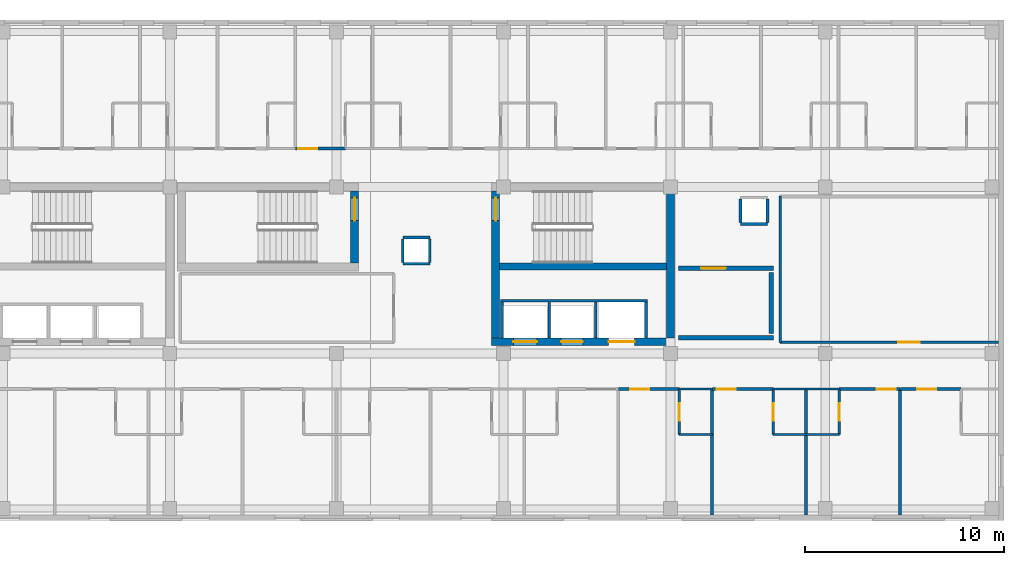
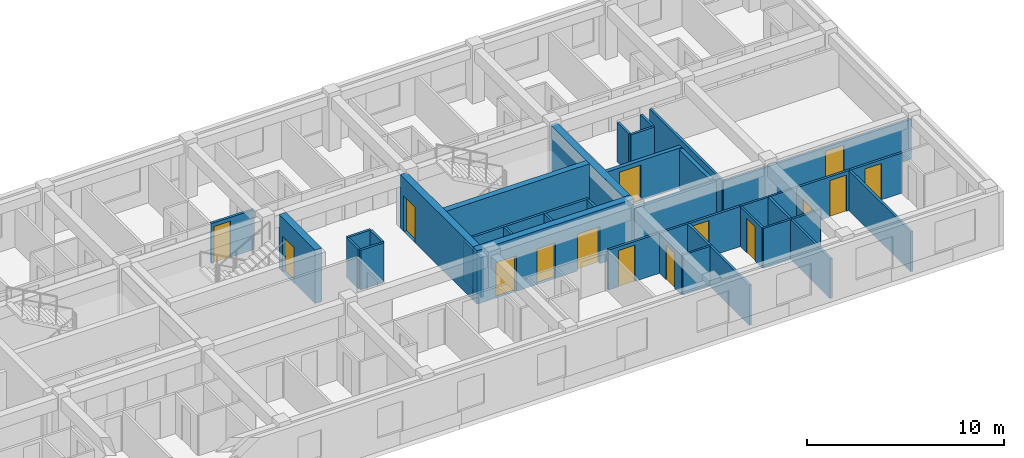
# One storey, part 6 of 11: 39 walls, 15 doors, 15 openings.
"""IFC4 building model written with IfcOpenShell, lengths in metres."""

import ifcopenshell
import ifcopenshell.guid

model = None  # the IFC model being written
_history = None  # IfcOwnerHistory: only IFC2X3 demands one
_inside = {}  # id of a spatial element -> (the spatial element, [elements in it])
_under = {}  # id of a project, library or spatial element -> (it, [spatial elements below it])
_declared = {}  # id of a project -> (the project, [libraries it declares])
_typed = {}  # id of a type object -> (the type object, [elements of that type])
_made_of = {}  # id of a material, layer set ... -> (it, [elements and type objects made of it])


def new_model(schema):
    """Start an empty IFC model of exactly this schema.

    Asked for "IFC4X3", IfcOpenShell would pick the latest addendum, in which some entities
    have other attributes; the version numbers below select the first issue.
    IFC2X3 requires an IfcOwnerHistory on every rooted entity: one is made here for all.
    """
    global model, _history
    if schema == "IFC4X3":
        model = ifcopenshell.file(schema_version=(4, 3, 0, 0))
    else:
        model = ifcopenshell.file(schema=schema)
    _inside.clear()
    _under.clear()
    _declared.clear()
    _typed.clear()
    _made_of.clear()
    _history = None
    if model.schema == "IFC2X3":
        org = make("IfcOrganization", Name="unknown")
        user = make(
            "IfcPersonAndOrganization",
            ThePerson=make("IfcPerson", FamilyName="unknown"),
            TheOrganization=org,
        )
        app = make(
            "IfcApplication",
            ApplicationDeveloper=org,
            Version="unknown",
            ApplicationFullName="unknown",
            ApplicationIdentifier="unknown",
        )
        _history = make(
            "IfcOwnerHistory",
            OwningUser=user,
            OwningApplication=app,
            ChangeAction="ADDED",
            CreationDate=0,
        )
    return model


def make(cls, **values):
    """One entity of the class cls with the attributes given. An attribute that is None is left unset."""
    return model.create_entity(
        cls, **{name: value for name, value in values.items() if value is not None}
    )


def rooted(cls, **values):
    """An entity with a GlobalId (a new one), such as an element, a storey or a relation."""
    return make(cls, GlobalId=ifcopenshell.guid.new(), OwnerHistory=_history, **values)


def si_unit(unit_type, name, prefix=None):
    """IfcSIUnit, for example si_unit("LENGTHUNIT", "METRE", prefix="MILLI")."""
    return make("IfcSIUnit", UnitType=unit_type, Prefix=prefix, Name=name)


def assignment(units):
    """IfcUnitAssignment: the units of a project."""
    return None if units is None else make("IfcUnitAssignment", Units=units)


def point(xyz):
    """IfcCartesianPoint."""
    return None if xyz is None else make("IfcCartesianPoint", Coordinates=xyz)


def direction(xyz):
    """IfcDirection."""
    return None if xyz is None else make("IfcDirection", DirectionRatios=xyz)


def frame(location, z_axis=None, x_axis=None):
    """IfcAxis2Placement3D, a coordinate frame: its origin and axes. An axis left out is left unset."""
    return make(
        "IfcAxis2Placement3D",
        Location=point(location),
        Axis=direction(z_axis),
        RefDirection=direction(x_axis),
    )


def frame_2d(location, x_axis=None):
    """IfcAxis2Placement2D, a coordinate frame in the plane: its origin and x axis."""
    return make(
        "IfcAxis2Placement2D", Location=point(location), RefDirection=direction(x_axis)
    )


def origin():
    """The frame at (0, 0, 0) with its axes left unset."""
    return frame((0.0, 0.0, 0.0))


def place(relative_to, where):
    """IfcLocalPlacement: puts the frame where relative to a parent placement (None: the world)."""
    return make(
        "IfcLocalPlacement", PlacementRelTo=relative_to, RelativePlacement=where
    )


def context(
    kind, dimensions, precision=None, world=None, true_north=None, identifier=None
):
    """IfcGeometricRepresentationContext, for example the 3D "Model" context."""
    return make(
        "IfcGeometricRepresentationContext",
        ContextIdentifier=identifier,
        ContextType=kind,
        CoordinateSpaceDimension=dimensions,
        Precision=precision,
        WorldCoordinateSystem=world,
        TrueNorth=true_north,
    )


def subcontext(parent, identifier, kind, view, scale=None):
    """IfcGeometricRepresentationSubContext, for example "Body" below "Model"."""
    return make(
        "IfcGeometricRepresentationSubContext",
        ContextIdentifier=identifier,
        ContextType=kind,
        ParentContext=parent,
        TargetScale=scale,
        TargetView=view,
    )


def project(units=None, contexts=None):
    """IfcProject with its units and contexts."""
    return rooted(
        "IfcProject",
        Name="project",
        RepresentationContexts=contexts,
        UnitsInContext=assignment(units),
    )


def spatial(cls, under=None, at=None, **own):
    """A site, building, storey or space (cls), placed at a placement, below another one or the project."""
    s = rooted(cls, ObjectPlacement=at, **own)
    if under is not None:
        _under.setdefault(under.id(), (under, []))[1].append(s)
    return s


def profile(cls, at=None, kind="AREA", **sizes):
    """A parametric profile (cls). Its sizes go by their IFC names, for example OverallWidth=200.0."""
    return make(cls, ProfileType=kind, Position=at, **sizes)


def rectangle(**sizes):
    """IfcRectangleProfileDef."""
    return profile("IfcRectangleProfileDef", **sizes)


def extrude(swept, where, along, depth):
    """IfcExtrudedAreaSolid: the profile swept, set in the frame where, extruded along a direction by depth."""
    return make(
        "IfcExtrudedAreaSolid",
        SweptArea=swept,
        Position=where,
        ExtrudedDirection=direction(along),
        Depth=depth,
    )


def shape(context_of_items, identifier, shape_type, items):
    """IfcShapeRepresentation: the items that make up one representation, for example the "Body"."""
    return make(
        "IfcShapeRepresentation",
        ContextOfItems=context_of_items,
        RepresentationIdentifier=identifier,
        RepresentationType=shape_type,
        Items=items,
    )


def material(Name=None, Category=None):
    """IfcMaterial."""
    return make("IfcMaterial", Name=Name, Category=Category)


def layer(
    of_material, thickness, ventilated=None, Name=None, Category=None, Priority=None
):
    """IfcMaterialLayer: one layer of a wall or slab, of a material (None: an air gap)."""
    return make(
        "IfcMaterialLayer",
        Material=of_material,
        LayerThickness=thickness,
        IsVentilated=ventilated,
        Name=Name,
        Category=Category,
        Priority=Priority,
    )


def layer_set(layers, Name=None):
    """IfcMaterialLayerSet."""
    return make("IfcMaterialLayerSet", MaterialLayers=layers, LayerSetName=Name)


def made_of(thing, what):
    """Note that an element or type object is made of a material, layer set ...; save() writes the relation."""
    if what is not None:
        _made_of.setdefault(what.id(), (what, []))[1].append(thing)
    return thing


def type_object(cls, material=None, **own):
    """A type object (cls), such as IfcWallType, which elements share."""
    return made_of(rooted(cls, **own), material)


def element(
    cls,
    number,
    at=None,
    inside=None,
    cuts=None,
    type_object=None,
    material=None,
    context=None,
    identifier="Body",
    shape_type=None,
    held_by="IfcProductDefinitionShape",
    body=None,
    shapes=None,
    **own,
):
    """One element of the class cls, such as IfcWall. Its Tag is "e" and its number.

    at: its placement. inside: the storey or other place that contains it. cuts: it is an
    opening in that element (IfcRelVoidsElement). A single representation is given by context,
    identifier, shape_type and body (its items); several are given by shapes. held_by: the class
    of the entity that holds the representations. save() writes the other relations.
    """
    e = rooted(cls, Tag="e%d" % number, ObjectPlacement=at, **own)
    if body is not None:
        shapes = [shape(context, identifier, shape_type, body)]
    if shapes is not None:
        e.Representation = make(held_by, Representations=shapes)
    if inside is not None:
        _inside.setdefault(inside.id(), (inside, []))[1].append(e)
    if cuts is not None:
        rooted(
            "IfcRelVoidsElement", RelatingBuildingElement=cuts, RelatedOpeningElement=e
        )
    if type_object is not None:
        _typed.setdefault(type_object.id(), (type_object, []))[1].append(e)
    return made_of(e, material)


def fill(opening, filler):
    """IfcRelFillsElement: the door or window that sits in an opening."""
    return rooted(
        "IfcRelFillsElement",
        RelatingOpeningElement=opening,
        RelatedBuildingElement=filler,
    )


def aggregate(whole, parts):
    """IfcRelAggregates: a whole, such as a stair, and the parts it consists of."""
    return rooted("IfcRelAggregates", RelatingObject=whole, RelatedObjects=parts)


def save(model, path):
    """Write the relations noted so far, then the file.

    IfcRelAggregates (storeys below a building ...), IfcRelContainedInSpatialStructure (elements
    in a storey), IfcRelDefinesByType, IfcRelAssociatesMaterial and IfcRelDeclares: one each for
    every whole, place, type object, material and project.
    """
    for whole, parts in _under.values():
        aggregate(whole, parts)
    for where, things in _inside.values():
        rooted(
            "IfcRelContainedInSpatialStructure",
            RelatedElements=things,
            RelatingStructure=where,
        )
    for kind, things in _typed.values():
        rooted("IfcRelDefinesByType", RelatedObjects=things, RelatingType=kind)
    for what, things in _made_of.values():
        rooted("IfcRelAssociatesMaterial", RelatedObjects=things, RelatingMaterial=what)
    for by, libraries in _declared.values():
        rooted("IfcRelDeclares", RelatingContext=by, RelatedDefinitions=libraries)
    model.write(path)


model = new_model("IFC4")

# Units and contexts
model_context = context("Model", 3, precision=1e-05, world=origin(), true_north=direction((0.0, 1.0)))
body_context = subcontext(model_context, "Body", "Model", "MODEL_VIEW")
ifc_project = project(units=[si_unit("LENGTHUNIT", "METRE"), si_unit("AREAUNIT", "SQUARE_METRE"), si_unit("VOLUMEUNIT", "CUBIC_METRE"), si_unit("PLANEANGLEUNIT", "RADIAN"), si_unit("MASSUNIT", "GRAM", prefix="KILO")], contexts=[model_context])

# Site, building, storey
site_placement = place(None, origin())
site = spatial("IfcSite", under=ifc_project, at=site_placement, CompositionType="ELEMENT")
building_placement = place(site_placement, origin())
building = spatial("IfcBuilding", under=site, at=building_placement, Name="Zayran Congress Hotel", CompositionType="ELEMENT")
storey_placement = place(building_placement, frame((0.0, 0.0, 26.39990234375)))
storey = spatial("IfcBuildingStorey", under=building, at=storey_placement, Name="L06", CompositionType="ELEMENT", Elevation=26.39990234375)

# Wall, openings, doors
ifc_material_1 = material(Name="Concrete C40/50", Category="concrete")
ifc_layer_1 = layer(ifc_material_1, 0.39990234375)
ifc_layer_set_1 = layer_set([ifc_layer_1], Name="Concrete C40/50")
wall_type_1 = type_object("IfcWallType", Name="WL-SH-400", PredefinedType="SHEAR", material=ifc_layer_set_1)
wall_1_placement = place(storey_placement, frame((49.800048828125, 17.800048828125, 0.0), z_axis=(0.0, 0.0, 1.0), x_axis=(1.0, 0.0, 0.0)))
wall_1 = element("IfcWall", 1, at=wall_1_placement, inside=storey, type_object=wall_type_1, Name="CWALL-C-V5E-L06-S", PredefinedType="SHEAR", context=body_context, shape_type="SweptSolid", body=[
    extrude(rectangle(XDim=9.199951171875, YDim=0.39990234375, at=frame_2d((4.60009765625, 0.0))), origin(), (0.0, 0.0, 1.0), 3.320068359375),
])
opening_1_placement = place(wall_1_placement, frame((1.10009765625, 0.0, 0.0)))
opening_1 = element("IfcOpeningElement", 2, at=opening_1_placement, cuts=wall_1, Name="Opening LD-FL02", PredefinedType="OPENING", context=body_context, shape_type="SweptSolid", body=[
    extrude(rectangle(XDim=1.199951171875, YDim=2.199951171875, at=frame_2d((0.60009765625, 1.10009765625))), frame((0.0, 0.2099609375, 0.0), z_axis=(0.0, -1.0, 0.0), x_axis=(1.0, 0.0, 0.0)), (0.0, 0.0, 1.0), 0.419921875),
])
opening_2_placement = place(wall_1_placement, frame((3.5, 0.0, 0.0)))
opening_2 = element("IfcOpeningElement", 3, at=opening_2_placement, cuts=wall_1, Name="Opening LD-PL03", PredefinedType="OPENING", context=body_context, shape_type="SweptSolid", body=[
    extrude(rectangle(XDim=1.10009765625, YDim=2.199951171875, at=frame_2d((0.550048828125, 1.10009765625))), frame((0.0, 0.2099609375, 0.0), z_axis=(0.0, -1.0, 0.0), x_axis=(1.0, 0.0, 0.0)), (0.0, 0.0, 1.0), 0.419921875),
])
opening_3_placement = place(wall_1_placement, frame((5.89990234375, 0.0, 0.0)))
opening_3 = element("IfcOpeningElement", 4, at=opening_3_placement, cuts=wall_1, Name="Opening LD-SV01", PredefinedType="OPENING", context=body_context, shape_type="SweptSolid", body=[
    extrude(rectangle(XDim=1.300048828125, YDim=2.300048828125, at=frame_2d((0.64990234375, 1.14990234375))), frame((0.0, 0.2099609375, 0.0), z_axis=(0.0, -1.0, 0.0), x_axis=(1.0, 0.0, 0.0)), (0.0, 0.0, 1.0), 0.419921875),
])
ifc_material_2 = material(Name="Brushed stainless steel sliding lift landing door", Category="steel")
door_type_1 = type_object("IfcDoorType", Name="TP-DR-LD-01", OperationType="DOUBLE_DOOR_SLIDING", PredefinedType="DOOR", material=ifc_material_2)
door_1_placement = place(opening_2_placement, origin())
door_1 = element("IfcDoor", 5, at=door_1_placement, inside=storey, type_object=door_type_1, Name="Lift PL-03 Sliding Landing Door L06", OperationType="DOUBLE_DOOR_SLIDING", OverallHeight=2.199951171875, OverallWidth=1.10009765625, PredefinedType="DOOR", context=body_context, shape_type="SweptSolid", body=[
    extrude(rectangle(XDim=1.10009765625, YDim=2.199951171875, at=frame_2d((0.550048828125, 1.10009765625))), frame((0.0, 0.02490234375, 0.0), z_axis=(0.0, -1.0, 0.0), x_axis=(1.0, 0.0, 0.0)), (0.0, 0.0, 1.0), 0.050048828125),
])
fill(opening_2, door_1)
ifc_material_3 = material(Name="Brushed stainless steel firefighting lift landing door", Category="steel")
door_type_2 = type_object("IfcDoorType", Name="TP-DR-LD-02", OperationType="DOUBLE_DOOR_SLIDING", PredefinedType="DOOR", material=ifc_material_3)
door_2_placement = place(opening_1_placement, origin())
door_2 = element("IfcDoor", 6, at=door_2_placement, inside=storey, type_object=door_type_2, Name="Lift FL-02 Sliding Landing Door L06", OperationType="DOUBLE_DOOR_SLIDING", OverallHeight=2.199951171875, OverallWidth=1.199951171875, PredefinedType="DOOR", context=body_context, shape_type="SweptSolid", body=[
    extrude(rectangle(XDim=1.199951171875, YDim=2.199951171875, at=frame_2d((0.60009765625, 1.10009765625))), frame((0.0, 0.02490234375, 0.0), z_axis=(0.0, -1.0, 0.0), x_axis=(1.0, 0.0, 0.0)), (0.0, 0.0, 1.0), 0.050048828125),
])
fill(opening_1, door_2)
ifc_material_4 = material(Name="Heavy-duty stainless steel service lift landing door", Category="steel")
door_type_3 = type_object("IfcDoorType", Name="TP-DR-LD-03", OperationType="DOUBLE_DOOR_SLIDING", PredefinedType="DOOR", material=ifc_material_4)
door_3_placement = place(opening_3_placement, origin())
door_3 = element("IfcDoor", 7, at=door_3_placement, inside=storey, type_object=door_type_3, Name="Lift SV-01 Sliding Landing Door L06", OperationType="DOUBLE_DOOR_SLIDING", OverallHeight=2.300048828125, OverallWidth=1.300048828125, PredefinedType="DOOR", context=body_context, shape_type="SweptSolid", body=[
    extrude(rectangle(XDim=1.300048828125, YDim=2.300048828125, at=frame_2d((0.64990234375, 1.14990234375))), frame((0.0, 0.02490234375, 0.0), z_axis=(0.0, -1.0, 0.0), x_axis=(1.0, 0.0, 0.0)), (0.0, 0.0, 1.0), 0.050048828125),
])
fill(opening_3, door_3)

# Wall, opening, door
wall_2_placement = place(storey_placement, frame((50.0, 25.39990234375, 0.0), z_axis=(0.0, 0.0, 1.0), x_axis=(0.0, -1.0, 0.0)))
wall_2 = element("IfcWall", 8, at=wall_2_placement, inside=storey, type_object=wall_type_1, Name="CWALL-C-V5E-L06-W", PredefinedType="SHEAR", context=body_context, shape_type="SweptSolid", body=[
    extrude(rectangle(XDim=7.39990234375, YDim=0.39990234375, at=frame_2d((3.699951171875, 0.0))), origin(), (0.0, 0.0, 1.0), 3.320068359375),
])
opening_4_placement = place(wall_2_placement, frame((0.35009765625, 0.0, 0.0)))
opening_4 = element("IfcOpeningElement", 9, at=opening_4_placement, cuts=wall_2, Name="Opening DR-FD-90", PredefinedType="OPENING", context=body_context, shape_type="SweptSolid", body=[
    extrude(rectangle(XDim=1.14990234375, YDim=2.199951171875, at=frame_2d((0.574951171875, 1.10009765625))), frame((0.0, 0.2099609375, 0.0), z_axis=(0.0, -1.0, 0.0), x_axis=(1.0, 0.0, 0.0)), (0.0, 0.0, 1.0), 0.419921875),
])
ifc_material_5 = material(Name="Painted steel fire door assembly", Category="steel")
door_type_4 = type_object("IfcDoorType", Name="TP-DR-FD-90", OperationType="NOTDEFINED", PredefinedType="DOOR", material=ifc_material_5)
door_4_placement = place(opening_4_placement, origin())
door_4 = element("IfcDoor", 10, at=door_4_placement, inside=storey, type_object=door_type_4, Name="ST-02 Exit Stair Door L06", OperationType="SINGLE_SWING_LEFT", OverallHeight=2.199951171875, OverallWidth=1.14990234375, PredefinedType="DOOR", context=body_context, shape_type="SweptSolid", body=[
    extrude(rectangle(XDim=1.14990234375, YDim=2.199951171875, at=frame_2d((0.574951171875, 1.10009765625))), frame((0.0, 0.02490234375, 0.0), z_axis=(0.0, -1.0, 0.0), x_axis=(1.0, 0.0, 0.0)), (0.0, 0.0, 1.0), 0.050048828125),
])
fill(opening_4, door_4)

# Wall
wall_3_placement = place(storey_placement, frame((58.800048828125, 18.0, 0.0), z_axis=(0.0, 0.0, 1.0), x_axis=(0.0, 1.0, 0.0)))
element("IfcWall", 11, at=wall_3_placement, inside=storey, type_object=wall_type_1, Name="CWALL-C-V5E-L06-E", PredefinedType="SHEAR", context=body_context, shape_type="SweptSolid", body=[
    extrude(rectangle(XDim=7.39990234375, YDim=0.39990234375, at=frame_2d((3.699951171875, 0.0))), origin(), (0.0, 0.0, 1.0), 3.320068359375),
])

# Wall, opening, door
wall_4_placement = place(storey_placement, frame((42.89990234375, 21.760009765625, 0.0), z_axis=(0.0, 0.0, 1.0), x_axis=(0.0, 1.0, 0.0)))
wall_4 = element("IfcWall", 12, at=wall_4_placement, inside=storey, type_object=wall_type_1, Name="CWALL-C-V5M-L06-E", PredefinedType="SHEAR", context=body_context, shape_type="SweptSolid", body=[
    extrude(rectangle(XDim=3.639892578125, YDim=0.39990234375, at=frame_2d((1.81982421875, 0.0))), origin(), (0.0, 0.0, 1.0), 3.320068359375),
])
opening_5_placement = place(wall_4_placement, frame((2.139892578125, 0.0, 0.0)))
opening_5 = element("IfcOpeningElement", 13, at=opening_5_placement, cuts=wall_4, Name="Opening DR-FD-90", PredefinedType="OPENING", context=body_context, shape_type="SweptSolid", body=[
    extrude(rectangle(XDim=1.14990234375, YDim=2.199951171875, at=frame_2d((0.574951171875, 1.10009765625))), frame((0.0, 0.2099609375, 0.0), z_axis=(0.0, -1.0, 0.0), x_axis=(1.0, 0.0, 0.0)), (0.0, 0.0, 1.0), 0.419921875),
])
door_5_placement = place(opening_5_placement, origin())
door_5 = element("IfcDoor", 14, at=door_5_placement, inside=storey, type_object=door_type_4, Name="ST-13 Exit Stair Door L06", OperationType="SINGLE_SWING_RIGHT", OverallHeight=2.199951171875, OverallWidth=1.14990234375, PredefinedType="DOOR", context=body_context, shape_type="SweptSolid", body=[
    extrude(rectangle(XDim=1.14990234375, YDim=2.199951171875, at=frame_2d((0.574951171875, 1.10009765625))), frame((0.0, 0.02490234375, 0.0), z_axis=(0.0, -1.0, 0.0), x_axis=(1.0, 0.0, 0.0)), (0.0, 0.0, 1.0), 0.050048828125),
])
fill(opening_5, door_5)

# Walls
ifc_layer_2 = layer(ifc_material_1, 0.35009765625)
ifc_layer_set_2 = layer_set([ifc_layer_2], Name="Concrete C40/50")
wall_type_2 = type_object("IfcWallType", Name="WL-SH-350", PredefinedType="SHEAR", material=ifc_layer_set_2)
wall_5_placement = place(storey_placement, frame((50.199951171875, 21.5849609375, 0.0), z_axis=(0.0, 0.0, 1.0), x_axis=(1.0, 0.0, 0.0)))
element("IfcWall", 15, at=wall_5_placement, inside=storey, type_object=wall_type_2, Name="CWALL-C-V5E-L06-SPN", PredefinedType="SHEAR", context=body_context, shape_type="SweptSolid", body=[
    extrude(rectangle(XDim=8.400146484375, YDim=0.35009765625, at=frame_2d((4.2001953125, 0.0))), origin(), (0.0, 0.0, 1.0), 3.320068359375),
])
ifc_material_6 = material(Name="Concrete C32/40 fire wall", Category="concrete")
ifc_layer_3 = layer(ifc_material_6, 0.219970703125)
ifc_layer_set_3 = layer_set([ifc_layer_3], Name="Concrete C32/40 fire wall")
wall_type_3 = type_object("IfcWallType", Name="WL-FF-220", PredefinedType="SOLIDWALL", material=ifc_layer_set_3)
wall_6_placement = place(storey_placement, frame((59.199951171875, 18.0, 0.0), z_axis=(0.0, 0.0, 1.0), x_axis=(1.0, 0.0, 0.0)))
element("IfcWall", 16, at=wall_6_placement, inside=storey, type_object=wall_type_3, Name="FFWL-C-V5E-L06-S", PredefinedType="SOLIDWALL", context=body_context, shape_type="SweptSolid", body=[
    extrude(rectangle(XDim=4.800048828125, YDim=0.219970703125, at=frame_2d((2.39990234375, 0.0))), origin(), (0.0, 0.0, 1.0), 2.47021484375),
])

# Wall, opening, door
wall_7_placement = place(storey_placement, frame((59.199951171875, 21.5, 0.0), z_axis=(0.0, 0.0, 1.0), x_axis=(1.0, 0.0, 0.0)))
wall_7 = element("IfcWall", 17, at=wall_7_placement, inside=storey, type_object=wall_type_3, Name="FFWL-C-V5E-L06-N", PredefinedType="SOLIDWALL", context=body_context, shape_type="SweptSolid", body=[
    extrude(rectangle(XDim=4.800048828125, YDim=0.219970703125, at=frame_2d((2.39990234375, 0.0))), origin(), (0.0, 0.0, 1.0), 2.47021484375),
])
opening_6_placement = place(wall_7_placement, frame((1.14990234375, 0.0, 0.0)))
opening_6 = element("IfcOpeningElement", 18, at=opening_6_placement, cuts=wall_7, Name="Opening DR-FF-60", PredefinedType="OPENING", context=body_context, shape_type="SweptSolid", body=[
    extrude(rectangle(XDim=1.25, YDim=2.199951171875, at=frame_2d((0.625, 1.10009765625))), frame((0.0, 0.119873046875, 0.0), z_axis=(0.0, -1.0, 0.0), x_axis=(1.0, 0.0, 0.0)), (0.0, 0.0, 1.0), 0.239990234375),
])
ifc_material_7 = material(Name="Painted steel smoke-seal fire door", Category="steel")
door_type_5 = type_object("IfcDoorType", Name="TP-DR-FF-60", OperationType="NOTDEFINED", PredefinedType="DOOR", material=ifc_material_7)
door_6_placement = place(opening_6_placement, origin())
door_6 = element("IfcDoor", 19, at=door_6_placement, inside=storey, type_object=door_type_5, Name="Firefighting Lift Lobby Door C-V5E L06", OperationType="SINGLE_SWING_RIGHT", OverallHeight=2.199951171875, OverallWidth=1.25, PredefinedType="DOOR", context=body_context, shape_type="SweptSolid", body=[
    extrude(rectangle(XDim=1.25, YDim=2.199951171875, at=frame_2d((0.625, 1.10009765625))), frame((0.0, 0.02490234375, 0.0), z_axis=(0.0, -1.0, 0.0), x_axis=(1.0, 0.0, 0.0)), (0.0, 0.0, 1.0), 0.050048828125),
])
fill(opening_6, door_6)

# Walls
wall_8_placement = place(storey_placement, frame((63.889892578125, 18.219970703125, 0.0), z_axis=(0.0, 0.0, 1.0), x_axis=(0.0, 1.0, 0.0)))
element("IfcWall", 20, at=wall_8_placement, inside=storey, type_object=wall_type_3, Name="FFWL-C-V5E-L06-SD", PredefinedType="SOLIDWALL", context=body_context, shape_type="SweptSolid", body=[
    extrude(rectangle(XDim=3.06005859375, YDim=0.219970703125, at=frame_2d((1.530029296875, 0.0))), origin(), (0.0, 0.0, 1.0), 2.47021484375),
])
ifc_material_8 = material(Name="Hospitality guestroom acoustic partition", Category="gypsum")
ifc_layer_4 = layer(ifc_material_8, 0.139892578125)
ifc_layer_set_4 = layer_set([ifc_layer_4], Name="Hospitality guestroom acoustic partition")
wall_type_4 = type_object("IfcWallType", Name="WL-PT-140", PredefinedType="PARTITIONING", material=ifc_layer_set_4)
for number, where, z_axis, x_axis, name in (
    (21, (50.330078125, 18.0, 0.0), (0.0, 0.0, 1.0), (0.0, 1.0, 0.0), "LSHW-C-V5E-L06-W"),
    (22, (52.699951171875, 18.0, 0.0), (0.0, 0.0, 1.0), (0.0, 1.0, 0.0), "LSHW-C-V5E-L06-DIV1"),
    (23, (55.050048828125, 18.0, 0.0), (0.0, 0.0, 1.0), (0.0, 1.0, 0.0), "LSHW-C-V5E-L06-DIV2"),
    (24, (57.570068359375, 18.0, 0.0), (0.0, 0.0, 1.0), (0.0, 1.0, 0.0), "LSHW-C-V5E-L06-E"),
):
    element("IfcWall", number, at=place(storey_placement, frame(where, z_axis=z_axis, x_axis=x_axis)), inside=storey, type_object=wall_type_4, Name=name, PredefinedType="PARTITIONING", context=body_context, shape_type="SweptSolid", body=[
        extrude(rectangle(XDim=1.800048828125, YDim=0.139892578125, at=frame_2d((0.89990234375, 0.0))), origin(), (0.0, 0.0, 1.0), 2.47021484375),
    ])
wall_9_placement = place(storey_placement, frame((50.260009765625, 19.8701171875, 0.0), z_axis=(0.0, 0.0, 1.0), x_axis=(1.0, 0.0, 0.0)))
element("IfcWall", 25, at=wall_9_placement, inside=storey, type_object=wall_type_4, Name="LSHW-C-V5E-L06-N", PredefinedType="PARTITIONING", context=body_context, shape_type="SweptSolid", body=[
    extrude(rectangle(XDim=7.3798828125, YDim=0.139892578125, at=frame_2d((3.68994140625, 0.0))), origin(), (0.0, 0.0, 1.0), 2.47021484375),
])

# Wall, opening, door
wall_10_placement = place(storey_placement, frame((64.320068359375, 17.780029296875, 0.0), z_axis=(0.0, 0.0, 1.0), x_axis=(1.0, 0.0, 0.0)))
wall_10 = element("IfcWall", 26, at=wall_10_placement, inside=storey, type_object=wall_type_4, Name="IW-L06-0691", PredefinedType="PARTITIONING", context=body_context, shape_type="SweptSolid", body=[
    extrude(rectangle(XDim=11.0, YDim=0.139892578125, at=frame_2d((5.5, 0.0))), origin(), (0.0, 0.0, 1.0), 2.47998046875),
])
opening_7_placement = place(wall_10_placement, frame((5.9580078125, 0.0, 0.0)))
opening_7 = element("IfcOpeningElement", 27, at=opening_7_placement, cuts=wall_10, Name="Opening DR-MT-01", PredefinedType="OPENING", context=body_context, shape_type="SweptSolid", body=[
    extrude(rectangle(XDim=1.080078125, YDim=2.25, at=frame_2d((0.5400390625, 1.125))), frame((0.0, 0.079833984375, 0.0), z_axis=(0.0, -1.0, 0.0), x_axis=(1.0, 0.0, 0.0)), (0.0, 0.0, 1.0), 0.159912109375),
])
ifc_material_9 = material(Name="Acoustic timber seminar room door", Category="wood")
door_type_6 = type_object("IfcDoorType", Name="TP-DR-MT-01", OperationType="NOTDEFINED", PredefinedType="DOOR", material=ifc_material_9)
door_7_placement = place(opening_7_placement, origin())
door_7 = element("IfcDoor", 28, at=door_7_placement, inside=storey, type_object=door_type_6, Name="Delegate Study Salon East L06 Door", OperationType="SINGLE_SWING_LEFT", OverallHeight=2.25, OverallWidth=1.080078125, PredefinedType="DOOR", context=body_context, shape_type="SweptSolid", body=[
    extrude(rectangle(XDim=1.080078125, YDim=2.25, at=frame_2d((0.5400390625, 1.125))), frame((0.0, 0.02490234375, 0.0), z_axis=(0.0, -1.0, 0.0), x_axis=(1.0, 0.0, 0.0)), (0.0, 0.0, 1.0), 0.050048828125),
])
fill(opening_7, door_7)

wall_11_placement = place(storey_placement, frame((56.196044921875, 15.419921875, 0.0), z_axis=(0.0, 0.0, 1.0), x_axis=(1.0, 0.0, 0.0)))
wall_11 = element("IfcWall", 29, at=wall_11_placement, inside=storey, type_object=wall_type_4, Name="IW-L06-0702", PredefinedType="PARTITIONING", context=body_context, shape_type="SweptSolid", body=[
    extrude(rectangle(XDim=3.06103515625, YDim=0.139892578125, at=frame_2d((1.530517578125, 0.0))), origin(), (0.0, 0.0, 1.0), 2.47998046875),
])
opening_8_placement = place(wall_11_placement, frame((0.594970703125, 0.0, 0.0)))
opening_8 = element("IfcOpeningElement", 30, at=opening_8_placement, cuts=wall_11, Name="Opening DR-GR-03", PredefinedType="OPENING", context=body_context, shape_type="SweptSolid", body=[
    extrude(rectangle(XDim=0.9599609375, YDim=2.25, at=frame_2d((0.47998046875, 1.125))), frame((0.0, 0.079833984375, 0.0), z_axis=(0.0, -1.0, 0.0), x_axis=(1.0, 0.0, 0.0)), (0.0, 0.0, 1.0), 0.159912109375),
])
ifc_material_10 = material(Name="Executive walnut veneer entry door", Category="wood")
door_type_7 = type_object("IfcDoorType", Name="TP-DR-GR-03", OperationType="NOTDEFINED", PredefinedType="DOOR", material=ifc_material_10)
door_8_placement = place(opening_8_placement, origin())
door_8 = element("IfcDoor", 31, at=door_8_placement, inside=storey, type_object=door_type_7, Name="Guest Room L06-11 Door", OperationType="SINGLE_SWING_RIGHT", OverallHeight=2.25, OverallWidth=0.9599609375, PredefinedType="DOOR", context=body_context, shape_type="SweptSolid", body=[
    extrude(rectangle(XDim=0.9599609375, YDim=2.25, at=frame_2d((0.47998046875, 1.125))), frame((0.0, 0.02490234375, 0.0), z_axis=(0.0, -1.0, 0.0), x_axis=(1.0, 0.0, 0.0)), (0.0, 0.0, 1.0), 0.050048828125),
])
fill(opening_8, door_8)

wall_12_placement = place(storey_placement, frame((60.924072265625, 15.419921875, 0.0), z_axis=(0.0, 0.0, 1.0), x_axis=(1.0, 0.0, 0.0)))
wall_12 = element("IfcWall", 32, at=wall_12_placement, inside=storey, type_object=wall_type_4, Name="IW-L06-0703", PredefinedType="PARTITIONING", context=body_context, shape_type="SweptSolid", body=[
    extrude(rectangle(XDim=3.06103515625, YDim=0.139892578125, at=frame_2d((1.530517578125, 0.0))), origin(), (0.0, 0.0, 1.0), 2.47998046875),
])
opening_9_placement = place(wall_12_placement, frame((0.205078125, 0.0, 0.0)))
opening_9 = element("IfcOpeningElement", 33, at=opening_9_placement, cuts=wall_12, Name="Opening DR-GR-03", PredefinedType="OPENING", context=body_context, shape_type="SweptSolid", body=[
    extrude(rectangle(XDim=0.9599609375, YDim=2.25, at=frame_2d((0.47998046875, 1.125))), frame((0.0, 0.079833984375, 0.0), z_axis=(0.0, -1.0, 0.0), x_axis=(1.0, 0.0, 0.0)), (0.0, 0.0, 1.0), 0.159912109375),
])
door_9_placement = place(opening_9_placement, origin())
door_9 = element("IfcDoor", 34, at=door_9_placement, inside=storey, type_object=door_type_7, Name="Guest Room L06-12 Door", OperationType="SINGLE_SWING_LEFT", OverallHeight=2.25, OverallWidth=0.9599609375, PredefinedType="DOOR", context=body_context, shape_type="SweptSolid", body=[
    extrude(rectangle(XDim=0.9599609375, YDim=2.25, at=frame_2d((0.47998046875, 1.125))), frame((0.0, 0.02490234375, 0.0), z_axis=(0.0, -1.0, 0.0), x_axis=(1.0, 0.0, 0.0)), (0.0, 0.0, 1.0), 0.050048828125),
])
fill(opening_9, door_9)

wall_13_placement = place(storey_placement, frame((67.300048828125, 15.419921875, 0.0), z_axis=(0.0, 0.0, 1.0), x_axis=(1.0, 0.0, 0.0)))
wall_13 = element("IfcWall", 35, at=wall_13_placement, inside=storey, type_object=wall_type_4, Name="IW-L06-0704", PredefinedType="PARTITIONING", context=body_context, shape_type="SweptSolid", body=[
    extrude(rectangle(XDim=3.06103515625, YDim=0.139892578125, at=frame_2d((1.530517578125, 0.0))), origin(), (0.0, 0.0, 1.0), 2.47998046875),
])
opening_10_placement = place(wall_13_placement, frame((1.89599609375, 0.0, 0.0)))
opening_10 = element("IfcOpeningElement", 36, at=opening_10_placement, cuts=wall_13, Name="Opening DR-GR-03", PredefinedType="OPENING", context=body_context, shape_type="SweptSolid", body=[
    extrude(rectangle(XDim=0.9599609375, YDim=2.25, at=frame_2d((0.47998046875, 1.125))), frame((0.0, 0.079833984375, 0.0), z_axis=(0.0, -1.0, 0.0), x_axis=(1.0, 0.0, 0.0)), (0.0, 0.0, 1.0), 0.159912109375),
])
door_10_placement = place(opening_10_placement, origin())
door_10 = element("IfcDoor", 37, at=door_10_placement, inside=storey, type_object=door_type_7, Name="Guest Room L06-13 Door", OperationType="SINGLE_SWING_RIGHT", OverallHeight=2.25, OverallWidth=0.9599609375, PredefinedType="DOOR", context=body_context, shape_type="SweptSolid", body=[
    extrude(rectangle(XDim=0.9599609375, YDim=2.25, at=frame_2d((0.47998046875, 1.125))), frame((0.0, 0.02490234375, 0.0), z_axis=(0.0, -1.0, 0.0), x_axis=(1.0, 0.0, 0.0)), (0.0, 0.0, 1.0), 0.050048828125),
])
fill(opening_10, door_10)

wall_14_placement = place(storey_placement, frame((70.381103515625, 15.419921875, 0.0), z_axis=(0.0, 0.0, 1.0), x_axis=(1.0, 0.0, 0.0)))
wall_14 = element("IfcWall", 38, at=wall_14_placement, inside=storey, type_object=wall_type_4, Name="IW-L06-0705", PredefinedType="PARTITIONING", context=body_context, shape_type="SweptSolid", body=[
    extrude(rectangle(XDim=3.060791015625, YDim=0.139892578125, at=frame_2d((1.5302734375, 0.0))), origin(), (0.0, 0.0, 1.0), 2.47998046875),
])
opening_11_placement = place(wall_14_placement, frame((0.85498046875, 0.0, 0.0)))
opening_11 = element("IfcOpeningElement", 39, at=opening_11_placement, cuts=wall_14, Name="Opening DR-GR-03", PredefinedType="OPENING", context=body_context, shape_type="SweptSolid", body=[
    extrude(rectangle(XDim=0.9599609375, YDim=2.25, at=frame_2d((0.47998046875, 1.125))), frame((0.0, 0.079833984375, 0.0), z_axis=(0.0, -1.0, 0.0), x_axis=(1.0, 0.0, 0.0)), (0.0, 0.0, 1.0), 0.159912109375),
])
door_11_placement = place(opening_11_placement, origin())
door_11 = element("IfcDoor", 40, at=door_11_placement, inside=storey, type_object=door_type_7, Name="Guest Room L06-14 Door", OperationType="SINGLE_SWING_LEFT", OverallHeight=2.25, OverallWidth=0.9599609375, PredefinedType="DOOR", context=body_context, shape_type="SweptSolid", body=[
    extrude(rectangle(XDim=0.9599609375, YDim=2.25, at=frame_2d((0.47998046875, 1.125))), frame((0.0, 0.02490234375, 0.0), z_axis=(0.0, -1.0, 0.0), x_axis=(1.0, 0.0, 0.0)), (0.0, 0.0, 1.0), 0.050048828125),
])
fill(opening_11, door_11)

wall_15_placement = place(storey_placement, frame((39.93310546875, 27.530029296875, 0.0), z_axis=(0.0, 0.0, 1.0), x_axis=(1.0, 0.0, 0.0)))
wall_15 = element("IfcWall", 41, at=wall_15_placement, inside=storey, type_object=wall_type_4, Name="IW-L06-0713", PredefinedType="PARTITIONING", context=body_context, shape_type="SweptSolid", body=[
    extrude(rectangle(XDim=2.510986328125, YDim=0.139892578125, at=frame_2d((1.25537109375, 0.0))), origin(), (0.0, 0.0, 1.0), 2.47998046875),
])
opening_12_placement = place(wall_15_placement, frame((0.139892578125, 0.0, 0.0)))
opening_12 = element("IfcOpeningElement", 42, at=opening_12_placement, cuts=wall_15, Name="Opening DR-GR-03", PredefinedType="OPENING", context=body_context, shape_type="SweptSolid", body=[
    extrude(rectangle(XDim=0.9599609375, YDim=2.25, at=frame_2d((0.47998046875, 1.125))), frame((0.0, 0.079833984375, 0.0), z_axis=(0.0, -1.0, 0.0), x_axis=(1.0, 0.0, 0.0)), (0.0, 0.0, 1.0), 0.159912109375),
])
door_12_placement = place(opening_12_placement, origin())
door_12 = element("IfcDoor", 43, at=door_12_placement, inside=storey, type_object=door_type_7, Name="Guest Room L06-20 Door", OperationType="SINGLE_SWING_LEFT", OverallHeight=2.25, OverallWidth=0.9599609375, PredefinedType="DOOR", context=body_context, shape_type="SweptSolid", body=[
    extrude(rectangle(XDim=0.9599609375, YDim=2.25, at=frame_2d((0.47998046875, 1.125))), frame((0.0, 0.02490234375, 0.0), z_axis=(0.0, -1.0, 0.0), x_axis=(1.0, 0.0, 0.0)), (0.0, 0.0, 1.0), 0.050048828125),
])
fill(opening_12, door_12)

# Walls
wall_16_placement = place(storey_placement, frame((64.330078125, 17.77001953125, 0.0), z_axis=(0.0, 0.0, 1.0), x_axis=(0.0, 1.0, 0.0)))
element("IfcWall", 44, at=wall_16_placement, inside=storey, type_object=wall_type_4, Name="IW-L06-2022", PredefinedType="PARTITIONING", context=body_context, shape_type="SweptSolid", body=[
    extrude(rectangle(XDim=7.35986328125, YDim=0.139892578125, at=frame_2d((3.679931640625, 0.0))), origin(), (0.0, 0.0, 1.0), 2.47998046875),
])
for number, where, z_axis, x_axis, name in (
    (45, (60.904052734375, 9.080078125, 0.0), (0.0, 0.0, 1.0), (0.0, 1.0, 0.0), "IW-L06-2033"),
    (46, (65.633056640625, 9.080078125, 0.0), (0.0, 0.0, 1.0), (0.0, 1.0, 0.0), "IW-L06-2034"),
    (47, (70.361083984375, 9.080078125, 0.0), (0.0, 0.0, 1.0), (0.0, 1.0, 0.0), "IW-L06-2035"),
):
    element("IfcWall", number, at=place(storey_placement, frame(where, z_axis=z_axis, x_axis=x_axis)), inside=storey, type_object=wall_type_4, Name=name, PredefinedType="PARTITIONING", context=body_context, shape_type="SweptSolid", body=[
        extrude(rectangle(XDim=6.349853515625, YDim=0.139892578125, at=frame_2d((3.1748046875, 0.0))), origin(), (0.0, 0.0, 1.0), 2.47998046875),
    ])
for number, where, z_axis, x_axis, name in (
    (48, (45.330078125, 21.72998046875, 0.0), (0.0, 0.0, 1.0), (1.0, 0.0, 0.0), "RSWL-V5-L06-042-S"),
    (49, (46.68994140625, 23.050048828125, 0.0), (0.0, 0.0, 1.0), (-1.0, 0.0, 0.0), "RSWL-V5-L06-042-N"),
):
    element("IfcWall", number, at=place(storey_placement, frame(where, z_axis=z_axis, x_axis=x_axis)), inside=storey, type_object=wall_type_4, Name=name, PredefinedType="PARTITIONING", context=body_context, shape_type="SweptSolid", body=[
        extrude(rectangle(XDim=1.35986328125, YDim=0.139892578125, at=frame_2d((0.679931640625, 0.0))), origin(), (0.0, 0.0, 1.0), 2.440185546875),
    ])
for number, where, z_axis, x_axis, name in (
    (50, (45.330078125, 22.97998046875, 0.0), (0.0, 0.0, 1.0), (0.0, -1.0, 0.0), "RSWL-V5-L06-042-W"),
    (51, (46.68994140625, 21.800048828125, 0.0), (0.0, 0.0, 1.0), (0.0, 1.0, 0.0), "RSWL-V5-L06-042-E"),
):
    element("IfcWall", number, at=place(storey_placement, frame(where, z_axis=z_axis, x_axis=x_axis)), inside=storey, type_object=wall_type_4, Name=name, PredefinedType="PARTITIONING", context=body_context, shape_type="SweptSolid", body=[
        extrude(rectangle(XDim=1.179931640625, YDim=0.139892578125, at=frame_2d((0.58984375, 0.0))), origin(), (0.0, 0.0, 1.0), 2.440185546875),
    ])
wall_17_placement = place(storey_placement, frame((62.330078125, 23.72998046875, 0.0), z_axis=(0.0, 0.0, 1.0), x_axis=(1.0, 0.0, 0.0)))
element("IfcWall", 52, at=wall_17_placement, inside=storey, type_object=wall_type_4, Name="RSWL-V5-L06-043-S", PredefinedType="PARTITIONING", context=body_context, shape_type="SweptSolid", body=[
    extrude(rectangle(XDim=1.35986328125, YDim=0.139892578125, at=frame_2d((0.679931640625, 0.0))), origin(), (0.0, 0.0, 1.0), 2.440185546875),
])
for number, where, z_axis, x_axis, name in (
    (53, (62.330078125, 24.97998046875, 0.0), (0.0, 0.0, 1.0), (0.0, -1.0, 0.0), "RSWL-V5-L06-043-W"),
    (54, (63.68994140625, 23.800048828125, 0.0), (0.0, 0.0, 1.0), (0.0, 1.0, 0.0), "RSWL-V5-L06-043-E"),
):
    element("IfcWall", number, at=place(storey_placement, frame(where, z_axis=z_axis, x_axis=x_axis)), inside=storey, type_object=wall_type_4, Name=name, PredefinedType="PARTITIONING", context=body_context, shape_type="SweptSolid", body=[
        extrude(rectangle(XDim=1.179931640625, YDim=0.139892578125, at=frame_2d((0.58984375, 0.0))), origin(), (0.0, 0.0, 1.0), 2.440185546875),
    ])

# Wall, opening, door
ifc_material_11 = material(Name="Moisture-resistant bathroom partition", Category="gypsum")
ifc_layer_5 = layer(ifc_material_11, 0.1201171875)
ifc_layer_set_5 = layer_set([ifc_layer_5], Name="Moisture-resistant bathroom partition")
wall_type_5 = type_object("IfcWallType", Name="WL-PT-120", PredefinedType="PARTITIONING", material=ifc_layer_set_5)
wall_18_placement = place(storey_placement, frame((59.257080078125, 13.1201171875, 0.0), z_axis=(0.0, 0.0, 1.0), x_axis=(0.0, 1.0, 0.0)))
wall_18 = element("IfcWall", 55, at=wall_18_placement, inside=storey, type_object=wall_type_5, Name="IW-L06-0201", PredefinedType="PARTITIONING", context=body_context, shape_type="SweptSolid", body=[
    extrude(rectangle(XDim=2.309814453125, YDim=0.1201171875, at=frame_2d((1.15478515625, 0.0))), origin(), (0.0, 0.0, 1.0), 2.47998046875),
])
opening_13_placement = place(wall_18_placement, frame((0.715087890625, 0.0, 0.0)))
opening_13 = element("IfcOpeningElement", 56, at=opening_13_placement, cuts=wall_18, Name="Opening DR-BT-01", PredefinedType="OPENING", context=body_context, shape_type="SweptSolid", body=[
    extrude(rectangle(XDim=0.8798828125, YDim=2.14990234375, at=frame_2d((0.43994140625, 1.074951171875))), frame((0.0, 0.070068359375, 0.0), z_axis=(0.0, -1.0, 0.0), x_axis=(1.0, 0.0, 0.0)), (0.0, 0.0, 1.0), 0.14013671875),
])
ifc_material_12 = material(Name="Moisture-resistant oak en-suite door", Category="wood")
door_type_8 = type_object("IfcDoorType", Name="TP-DR-BT-01", OperationType="NOTDEFINED", PredefinedType="DOOR", material=ifc_material_12)
door_13_placement = place(opening_13_placement, origin())
door_13 = element("IfcDoor", 57, at=door_13_placement, inside=storey, type_object=door_type_8, Name="En-Suite Bathroom L06-11 Door", OperationType="SINGLE_SWING_RIGHT", OverallHeight=2.14990234375, OverallWidth=0.8798828125, PredefinedType="DOOR", context=body_context, shape_type="SweptSolid", body=[
    extrude(rectangle(XDim=0.8798828125, YDim=2.14990234375, at=frame_2d((0.43994140625, 1.074951171875))), frame((0.0, 0.02490234375, 0.0), z_axis=(0.0, -1.0, 0.0), x_axis=(1.0, 0.0, 0.0)), (0.0, 0.0, 1.0), 0.050048828125),
])
fill(opening_13, door_13)

wall_19_placement = place(storey_placement, frame((63.985107421875, 13.1201171875, 0.0), z_axis=(0.0, 0.0, 1.0), x_axis=(0.0, 1.0, 0.0)))
wall_19 = element("IfcWall", 58, at=wall_19_placement, inside=storey, type_object=wall_type_5, Name="IW-L06-0202", PredefinedType="PARTITIONING", context=body_context, shape_type="SweptSolid", body=[
    extrude(rectangle(XDim=2.309814453125, YDim=0.1201171875, at=frame_2d((1.15478515625, 0.0))), origin(), (0.0, 0.0, 1.0), 2.47998046875),
])
opening_14_placement = place(wall_19_placement, frame((0.715087890625, 0.0, 0.0)))
opening_14 = element("IfcOpeningElement", 59, at=opening_14_placement, cuts=wall_19, Name="Opening DR-BT-01", PredefinedType="OPENING", context=body_context, shape_type="SweptSolid", body=[
    extrude(rectangle(XDim=0.8798828125, YDim=2.14990234375, at=frame_2d((0.43994140625, 1.074951171875))), frame((0.0, 0.070068359375, 0.0), z_axis=(0.0, -1.0, 0.0), x_axis=(1.0, 0.0, 0.0)), (0.0, 0.0, 1.0), 0.14013671875),
])
door_14_placement = place(opening_14_placement, origin())
door_14 = element("IfcDoor", 60, at=door_14_placement, inside=storey, type_object=door_type_8, Name="En-Suite Bathroom L06-12 Door", OperationType="SINGLE_SWING_LEFT", OverallHeight=2.14990234375, OverallWidth=0.8798828125, PredefinedType="DOOR", context=body_context, shape_type="SweptSolid", body=[
    extrude(rectangle(XDim=0.8798828125, YDim=2.14990234375, at=frame_2d((0.43994140625, 1.074951171875))), frame((0.0, 0.02490234375, 0.0), z_axis=(0.0, -1.0, 0.0), x_axis=(1.0, 0.0, 0.0)), (0.0, 0.0, 1.0), 0.050048828125),
])
fill(opening_14, door_14)

wall_20_placement = place(storey_placement, frame((67.300048828125, 13.1201171875, 0.0), z_axis=(0.0, 0.0, 1.0), x_axis=(0.0, 1.0, 0.0)))
wall_20 = element("IfcWall", 61, at=wall_20_placement, inside=storey, type_object=wall_type_5, Name="IW-L06-0203", PredefinedType="PARTITIONING", context=body_context, shape_type="SweptSolid", body=[
    extrude(rectangle(XDim=2.309814453125, YDim=0.1201171875, at=frame_2d((1.15478515625, 0.0))), origin(), (0.0, 0.0, 1.0), 2.47998046875),
])
opening_15_placement = place(wall_20_placement, frame((0.715087890625, 0.0, 0.0)))
opening_15 = element("IfcOpeningElement", 62, at=opening_15_placement, cuts=wall_20, Name="Opening DR-BT-01", PredefinedType="OPENING", context=body_context, shape_type="SweptSolid", body=[
    extrude(rectangle(XDim=0.8798828125, YDim=2.14990234375, at=frame_2d((0.43994140625, 1.074951171875))), frame((0.0, 0.070068359375, 0.0), z_axis=(0.0, -1.0, 0.0), x_axis=(1.0, 0.0, 0.0)), (0.0, 0.0, 1.0), 0.14013671875),
])
door_15_placement = place(opening_15_placement, origin())
door_15 = element("IfcDoor", 63, at=door_15_placement, inside=storey, type_object=door_type_8, Name="En-Suite Bathroom L06-13 Door", OperationType="SINGLE_SWING_RIGHT", OverallHeight=2.14990234375, OverallWidth=0.8798828125, PredefinedType="DOOR", context=body_context, shape_type="SweptSolid", body=[
    extrude(rectangle(XDim=0.8798828125, YDim=2.14990234375, at=frame_2d((0.43994140625, 1.074951171875))), frame((0.0, 0.02490234375, 0.0), z_axis=(0.0, -1.0, 0.0), x_axis=(1.0, 0.0, 0.0)), (0.0, 0.0, 1.0), 0.050048828125),
])
fill(opening_15, door_15)

# Walls
for number, where, z_axis, x_axis, name in (
    (64, (59.2470703125, 13.1298828125, 0.0), (0.0, 0.0, 1.0), (1.0, 0.0, 0.0), "IW-L06-1269"),
    (65, (59.2470703125, 15.419921875, 0.0), (0.0, 0.0, 1.0), (1.0, 0.0, 0.0), "IW-L06-1270"),
):
    element("IfcWall", number, at=place(storey_placement, frame(where, z_axis=z_axis, x_axis=x_axis)), inside=storey, type_object=wall_type_5, Name=name, PredefinedType="PARTITIONING", context=body_context, shape_type="SweptSolid", body=[
        extrude(rectangle(XDim=1.6669921875, YDim=0.1201171875, at=frame_2d((0.83349609375, 0.0))), origin(), (0.0, 0.0, 1.0), 2.47998046875),
    ])
for number, where, z_axis, x_axis, name in (
    (66, (63.97509765625, 13.1298828125, 0.0), (0.0, 0.0, 1.0), (1.0, 0.0, 0.0), "IW-L06-1271"),
    (67, (63.97509765625, 15.419921875, 0.0), (0.0, 0.0, 1.0), (1.0, 0.0, 0.0), "IW-L06-1272"),
):
    element("IfcWall", number, at=place(storey_placement, frame(where, z_axis=z_axis, x_axis=x_axis)), inside=storey, type_object=wall_type_5, Name=name, PredefinedType="PARTITIONING", context=body_context, shape_type="SweptSolid", body=[
        extrude(rectangle(XDim=1.66796875, YDim=0.1201171875, at=frame_2d((0.833984375, 0.0))), origin(), (0.0, 0.0, 1.0), 2.47998046875),
    ])
for number, where, z_axis, x_axis, name in (
    (68, (65.64306640625, 13.1298828125, 0.0), (0.0, 0.0, 1.0), (1.0, 0.0, 0.0), "IW-L06-1273"),
    (69, (65.64306640625, 15.419921875, 0.0), (0.0, 0.0, 1.0), (1.0, 0.0, 0.0), "IW-L06-1274"),
):
    element("IfcWall", number, at=place(storey_placement, frame(where, z_axis=z_axis, x_axis=x_axis)), inside=storey, type_object=wall_type_5, Name=name, PredefinedType="PARTITIONING", context=body_context, shape_type="SweptSolid", body=[
        extrude(rectangle(XDim=1.6669921875, YDim=0.1201171875, at=frame_2d((0.83349609375, 0.0))), origin(), (0.0, 0.0, 1.0), 2.47998046875),
    ])

save(model, "model.ifc")
